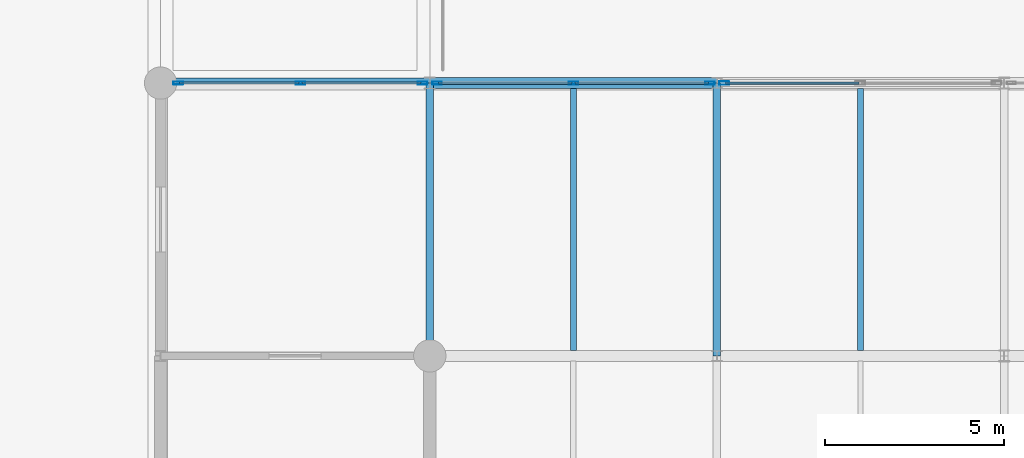
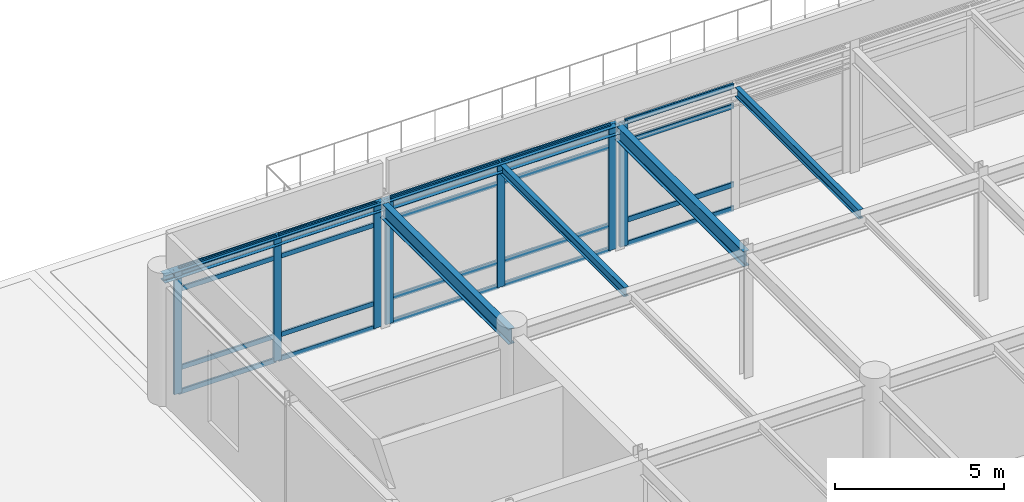
# One storey, part 23 of 43: 27 members, 6 beams, 3 elements without a shape of their own.
"""IFC4 building model written with IfcOpenShell, lengths in metres."""

from ifc_helpers import new_model, si_unit, direction, frame, origin, origin_2d, place, context, subcontext, project, spatial, hollow_rectangle, i_section, extrude, material, layer, layer_set, material_profile, profile_set, type_object, element, aggregate, save


model = new_model("IFC4")

# Units and contexts
model_context = context("Model", 3, precision=1e-05, world=origin(), true_north=direction((0.0, 1.0)))
body_context = subcontext(model_context, "Body", "Model", "MODEL_VIEW")
ifc_project = project(units=[si_unit("LENGTHUNIT", "METRE"), si_unit("AREAUNIT", "SQUARE_METRE"), si_unit("VOLUMEUNIT", "CUBIC_METRE"), si_unit("PLANEANGLEUNIT", "RADIAN"), si_unit("MASSUNIT", "GRAM", prefix="KILO")], contexts=[model_context])

# Site, building, storey
site_placement = place(None, origin())
site = spatial("IfcSite", under=ifc_project, at=site_placement, CompositionType="ELEMENT")
building_placement = place(site_placement, origin())
building = spatial("IfcBuilding", under=site, at=building_placement, Name="Shalkamar Park Central Library", CompositionType="ELEMENT")
storey_placement = place(building_placement, frame((0.0, 0.0, 15.60009765625)))
storey = spatial("IfcBuildingStorey", under=building, at=storey_placement, Name="L04", CompositionType="ELEMENT", Elevation=15.60009765625)

# Beams
ifc_material_1 = material(Name="Steel S355", Category="steel")
ifc_material_profile_1 = material_profile(ifc_material_1, i_section(OverallWidth=0.159912109375, OverallDepth=0.330078125, WebThickness=0.007568359375, FlangeThickness=0.011474609375, FilletRadius=0.01806640625, at=origin_2d()), Name="IPE 330")
ifc_profile_set_1 = profile_set([ifc_material_profile_1], Name="Steel S355")
beam_type_1 = type_object("IfcBeamType", Name="Composite Floor Joist IPE330", PredefinedType="JOIST", material=ifc_profile_set_1)
for number, where, z_axis, x_axis, name in (
    (1, (169.0, 308.548095703125, 4.31494140625), (0.0, 1.0, 0.0), (-1.0, 0.0, 0.0), "Composite Joist 07/K-1 (L04)"),
    (2, (177.0, 308.548095703125, 4.31494140625), (0.0, 1.0, 0.0), (-1.0, 0.0, 0.0), "Composite Joist 08/K-1 (L04)"),
):
    element("IfcBeam", number, at=place(storey_placement, frame(where, z_axis=z_axis, x_axis=x_axis)), inside=storey, type_object=beam_type_1, Name=name, PredefinedType="JOIST", context=body_context, shape_type="SweptSolid", body=[
        extrude(i_section(OverallWidth=0.159912109375, OverallDepth=0.330078125, WebThickness=0.007568359375, FlangeThickness=0.011474609375, FilletRadius=0.01806640625, at=origin_2d()), origin(), (0.0, 0.0, 1.0), 7.303955078125),
    ])

# Curtain wall, members
ifc_material_2 = material(Name="Thermally broken aluminium and triple low-e curtain wall", Category="aluminium")
ifc_layer_1 = layer(ifc_material_2, 0.27001953125)
ifc_layer_set_1 = layer_set([ifc_layer_1], Name="UnitisedCurtainWall_53")
curtain_wall_type_1 = type_object("IfcCurtainWallType", Name="Unitised Curtain Wall 53", PredefinedType="USERDEFINED", material=ifc_layer_set_1)
curtain_wall_1_placement = place(storey_placement, origin())
curtain_wall_1 = element("IfcCurtainWall", 3, at=curtain_wall_1_placement, inside=storey, type_object=curtain_wall_type_1, Name="Unitised Curtain Wall CW-L04-067", ObjectType="UNITISED CURTAIN WALL", PredefinedType="USERDEFINED")
ifc_material_3 = material(Name="Aluminium 6060-T66", Category="aluminium")
ifc_material_profile_2 = material_profile(ifc_material_3, hollow_rectangle(XDim=0.080078125, YDim=0.27001953125, WallThickness=0.0048828125, InnerFilletRadius=0.0048828125, OuterFilletRadius=0.007568359375, at=origin_2d()), Name="ALU 80x270x5")
ifc_profile_set_2 = profile_set([ifc_material_profile_2], Name="Aluminium 6060-T66")
member_type_1 = type_object("IfcMemberType", Name="Curtain Wall Mullion ALU80x270", PredefinedType="MULLION", material=ifc_profile_set_2)
member_1_placement = place(storey_placement, frame((157.993896484375, 316.0, 0.0), z_axis=(0.0, 0.0, 1.0), x_axis=(0.0, 1.0, 0.0)))
member_1 = element("IfcMember", 4, at=member_1_placement, type_object=member_type_1, Name="CW-53 mullion 1", PredefinedType="MULLION", context=body_context, shape_type="SweptSolid", body=[
    extrude(hollow_rectangle(XDim=0.080078125, YDim=0.27001953125, WallThickness=0.0048828125, InnerFilletRadius=0.0048828125, OuterFilletRadius=0.007568359375, at=origin_2d()), origin(), (0.0, 0.0, 1.0), 4.47998046875),
])
member_2_placement = place(storey_placement, frame((161.39501953125, 316.0, 0.0), z_axis=(0.0, 0.0, 1.0), x_axis=(0.0, 1.0, 0.0)))
member_2 = element("IfcMember", 5, at=member_2_placement, type_object=member_type_1, Name="CW-53 mullion 2", PredefinedType="MULLION", context=body_context, shape_type="SweptSolid", body=[
    extrude(hollow_rectangle(XDim=0.080078125, YDim=0.27001953125, WallThickness=0.0048828125, InnerFilletRadius=0.0048828125, OuterFilletRadius=0.007568359375, at=origin_2d()), origin(), (0.0, 0.0, 1.0), 4.47998046875),
])
member_3_placement = place(storey_placement, frame((164.7958984375, 316.0, 0.0), z_axis=(0.0, 0.0, 1.0), x_axis=(0.0, 1.0, 0.0)))
member_3 = element("IfcMember", 6, at=member_3_placement, type_object=member_type_1, Name="CW-53 mullion 3", PredefinedType="MULLION", context=body_context, shape_type="SweptSolid", body=[
    extrude(hollow_rectangle(XDim=0.080078125, YDim=0.27001953125, WallThickness=0.0048828125, InnerFilletRadius=0.0048828125, OuterFilletRadius=0.007568359375, at=origin_2d()), origin(), (0.0, 0.0, 1.0), 4.47998046875),
])

ifc_layer_2 = layer(ifc_material_2, 0.264892578125)
ifc_layer_set_2 = layer_set([ifc_layer_2], Name="UnitisedCurtainWall_54")
curtain_wall_type_2 = type_object("IfcCurtainWallType", Name="Unitised Curtain Wall 54", PredefinedType="USERDEFINED", material=ifc_layer_set_2)
curtain_wall_2_placement = place(storey_placement, origin())
curtain_wall_2 = element("IfcCurtainWall", 7, at=curtain_wall_2_placement, inside=storey, type_object=curtain_wall_type_2, Name="Unitised Curtain Wall CW-L04-068", ObjectType="UNITISED CURTAIN WALL", PredefinedType="USERDEFINED")
ifc_material_profile_3 = material_profile(ifc_material_3, hollow_rectangle(XDim=0.0849609375, YDim=0.264892578125, WallThickness=0.0048828125, InnerFilletRadius=0.0048828125, OuterFilletRadius=0.007568359375, at=origin_2d()), Name="ALU 85x265x5")
ifc_profile_set_3 = profile_set([ifc_material_profile_3], Name="Aluminium 6060-T66")
member_type_2 = type_object("IfcMemberType", Name="Curtain Wall Mullion ALU85x265", PredefinedType="MULLION", material=ifc_profile_set_3)
member_4_placement = place(storey_placement, frame((165.20654296875, 316.0, 0.0), z_axis=(0.0, 0.0, 1.0), x_axis=(0.0, 1.0, 0.0)))
member_4 = element("IfcMember", 8, at=member_4_placement, type_object=member_type_2, Name="CW-54 mullion 1", PredefinedType="MULLION", context=body_context, shape_type="SweptSolid", body=[
    extrude(hollow_rectangle(XDim=0.0849609375, YDim=0.264892578125, WallThickness=0.0048828125, InnerFilletRadius=0.0048828125, OuterFilletRadius=0.007568359375, at=origin_2d()), origin(), (0.0, 0.0, 1.0), 4.47998046875),
])
member_5_placement = place(storey_placement, frame((169.0048828125, 316.0, 0.0), z_axis=(0.0, 0.0, 1.0), x_axis=(0.0, 1.0, 0.0)))
member_5 = element("IfcMember", 9, at=member_5_placement, type_object=member_type_2, Name="CW-54 mullion 2", PredefinedType="MULLION", context=body_context, shape_type="SweptSolid", body=[
    extrude(hollow_rectangle(XDim=0.0849609375, YDim=0.264892578125, WallThickness=0.0048828125, InnerFilletRadius=0.0048828125, OuterFilletRadius=0.007568359375, at=origin_2d()), origin(), (0.0, 0.0, 1.0), 4.47998046875),
])
member_6_placement = place(storey_placement, frame((172.803466796875, 316.0, 0.0), z_axis=(0.0, 0.0, 1.0), x_axis=(0.0, 1.0, 0.0)))
member_6 = element("IfcMember", 10, at=member_6_placement, type_object=member_type_2, Name="CW-54 mullion 3", PredefinedType="MULLION", context=body_context, shape_type="SweptSolid", body=[
    extrude(hollow_rectangle(XDim=0.0849609375, YDim=0.264892578125, WallThickness=0.0048828125, InnerFilletRadius=0.0048828125, OuterFilletRadius=0.007568359375, at=origin_2d()), origin(), (0.0, 0.0, 1.0), 4.47998046875),
])

# Curtain wall, member
ifc_layer_3 = layer(ifc_material_2, 0.280029296875)
ifc_layer_set_3 = layer_set([ifc_layer_3], Name="UnitisedCurtainWall_55")
curtain_wall_type_3 = type_object("IfcCurtainWallType", Name="Unitised Curtain Wall 55", PredefinedType="USERDEFINED", material=ifc_layer_set_3)
curtain_wall_3_placement = place(storey_placement, origin())
curtain_wall_3 = element("IfcCurtainWall", 11, at=curtain_wall_3_placement, inside=storey, type_object=curtain_wall_type_3, Name="Unitised Curtain Wall CW-L04-069", ObjectType="UNITISED CURTAIN WALL", PredefinedType="USERDEFINED")
ifc_material_profile_4 = material_profile(ifc_material_3, hollow_rectangle(XDim=0.090087890625, YDim=0.280029296875, WallThickness=0.0048828125, InnerFilletRadius=0.0048828125, OuterFilletRadius=0.007568359375, at=origin_2d()), Name="ALU 90x280x5")
ifc_profile_set_4 = profile_set([ifc_material_profile_4], Name="Aluminium 6060-T66")
member_type_3 = type_object("IfcMemberType", Name="Curtain Wall Mullion ALU90x280", PredefinedType="MULLION", material=ifc_profile_set_4)
member_7_placement = place(storey_placement, frame((173.198974609375, 316.0, 0.0), z_axis=(0.0, 0.0, 1.0), x_axis=(0.0, 1.0, 0.0)))
member_7 = element("IfcMember", 12, at=member_7_placement, type_object=member_type_3, Name="CW-55 mullion 1", PredefinedType="MULLION", context=body_context, shape_type="SweptSolid", body=[
    extrude(hollow_rectangle(XDim=0.090087890625, YDim=0.280029296875, WallThickness=0.0048828125, InnerFilletRadius=0.0048828125, OuterFilletRadius=0.007568359375, at=origin_2d()), origin(), (0.0, 0.0, 1.0), 4.47998046875),
])

# Member
ifc_material_profile_5 = material_profile(ifc_material_3, hollow_rectangle(XDim=0.06494140625, YDim=0.175048828125, WallThickness=0.00439453125, InnerFilletRadius=0.00439453125, OuterFilletRadius=0.0068359375, at=origin_2d()), Name="ALU 65x175x4.5")
ifc_profile_set_5 = profile_set([ifc_material_profile_5], Name="Aluminium 6060-T66")
member_type_4 = type_object("IfcMemberType", Name="Curtain Wall Transom ALU65x175", PredefinedType="USERDEFINED", material=ifc_profile_set_5)
member_8_placement = place(storey_placement, frame((158.033935546875, 316.0, 0.032470703125), z_axis=(1.0, 0.0, 0.0), x_axis=(0.0, 1.0, 0.0)))
member_8 = element("IfcMember", 13, at=member_8_placement, type_object=member_type_4, Name="CW-53 transom 1.1", ObjectType="TRANSOM", PredefinedType="USERDEFINED", context=body_context, shape_type="SweptSolid", body=[
    extrude(hollow_rectangle(XDim=0.06494140625, YDim=0.175048828125, WallThickness=0.00439453125, InnerFilletRadius=0.00439453125, OuterFilletRadius=0.0068359375, at=origin_2d()), origin(), (0.0, 0.0, 1.0), 3.321044921875),
])

member_9_placement = place(storey_placement, frame((158.033935546875, 316.0, 0.89990234375), z_axis=(1.0, 0.0, 0.0), x_axis=(0.0, 1.0, 0.0)))
member_9 = element("IfcMember", 14, at=member_9_placement, type_object=member_type_4, Name="CW-53 transom 1.2", ObjectType="TRANSOM", PredefinedType="USERDEFINED", context=body_context, shape_type="SweptSolid", body=[
    extrude(hollow_rectangle(XDim=0.06494140625, YDim=0.175048828125, WallThickness=0.00439453125, InnerFilletRadius=0.00439453125, OuterFilletRadius=0.0068359375, at=origin_2d()), origin(), (0.0, 0.0, 1.0), 3.321044921875),
])

member_10_placement = place(storey_placement, frame((158.033935546875, 316.0, 3.72998046875), z_axis=(1.0, 0.0, 0.0), x_axis=(0.0, 1.0, 0.0)))
member_10 = element("IfcMember", 15, at=member_10_placement, type_object=member_type_4, Name="CW-53 transom 1.3", ObjectType="TRANSOM", PredefinedType="USERDEFINED", context=body_context, shape_type="SweptSolid", body=[
    extrude(hollow_rectangle(XDim=0.06494140625, YDim=0.175048828125, WallThickness=0.00439453125, InnerFilletRadius=0.00439453125, OuterFilletRadius=0.0068359375, at=origin_2d()), origin(), (0.0, 0.0, 1.0), 3.321044921875),
])

member_11_placement = place(storey_placement, frame((158.033935546875, 316.0, 4.447509765625), z_axis=(1.0, 0.0, 0.0), x_axis=(0.0, 1.0, 0.0)))
member_11 = element("IfcMember", 16, at=member_11_placement, type_object=member_type_4, Name="CW-53 transom 1.4", ObjectType="TRANSOM", PredefinedType="USERDEFINED", context=body_context, shape_type="SweptSolid", body=[
    extrude(hollow_rectangle(XDim=0.06494140625, YDim=0.175048828125, WallThickness=0.00439453125, InnerFilletRadius=0.00439453125, OuterFilletRadius=0.0068359375, at=origin_2d()), origin(), (0.0, 0.0, 1.0), 3.321044921875),
])

member_12_placement = place(storey_placement, frame((161.43505859375, 316.0, 0.032470703125), z_axis=(1.0, 0.0, 0.0), x_axis=(0.0, 1.0, 0.0)))
member_12 = element("IfcMember", 17, at=member_12_placement, type_object=member_type_4, Name="CW-53 transom 2.1", ObjectType="TRANSOM", PredefinedType="USERDEFINED", context=body_context, shape_type="SweptSolid", body=[
    extrude(hollow_rectangle(XDim=0.06494140625, YDim=0.175048828125, WallThickness=0.00439453125, InnerFilletRadius=0.00439453125, OuterFilletRadius=0.0068359375, at=origin_2d()), origin(), (0.0, 0.0, 1.0), 3.321044921875),
])

member_13_placement = place(storey_placement, frame((161.43505859375, 316.0, 0.89990234375), z_axis=(1.0, 0.0, 0.0), x_axis=(0.0, 1.0, 0.0)))
member_13 = element("IfcMember", 18, at=member_13_placement, type_object=member_type_4, Name="CW-53 transom 2.2", ObjectType="TRANSOM", PredefinedType="USERDEFINED", context=body_context, shape_type="SweptSolid", body=[
    extrude(hollow_rectangle(XDim=0.06494140625, YDim=0.175048828125, WallThickness=0.00439453125, InnerFilletRadius=0.00439453125, OuterFilletRadius=0.0068359375, at=origin_2d()), origin(), (0.0, 0.0, 1.0), 3.321044921875),
])

member_14_placement = place(storey_placement, frame((161.43505859375, 316.0, 3.72998046875), z_axis=(1.0, 0.0, 0.0), x_axis=(0.0, 1.0, 0.0)))
member_14 = element("IfcMember", 19, at=member_14_placement, type_object=member_type_4, Name="CW-53 transom 2.3", ObjectType="TRANSOM", PredefinedType="USERDEFINED", context=body_context, shape_type="SweptSolid", body=[
    extrude(hollow_rectangle(XDim=0.06494140625, YDim=0.175048828125, WallThickness=0.00439453125, InnerFilletRadius=0.00439453125, OuterFilletRadius=0.0068359375, at=origin_2d()), origin(), (0.0, 0.0, 1.0), 3.321044921875),
])

member_15_placement = place(storey_placement, frame((161.43505859375, 316.0, 4.447509765625), z_axis=(1.0, 0.0, 0.0), x_axis=(0.0, 1.0, 0.0)))
member_15 = element("IfcMember", 20, at=member_15_placement, type_object=member_type_4, Name="CW-53 transom 2.4", ObjectType="TRANSOM", PredefinedType="USERDEFINED", context=body_context, shape_type="SweptSolid", body=[
    extrude(hollow_rectangle(XDim=0.06494140625, YDim=0.175048828125, WallThickness=0.00439453125, InnerFilletRadius=0.00439453125, OuterFilletRadius=0.0068359375, at=origin_2d()), origin(), (0.0, 0.0, 1.0), 3.321044921875),
])

aggregate(curtain_wall_1, [member_1, member_2, member_3, member_8, member_9, member_10, member_11, member_12, member_13, member_14, member_15])

ifc_material_profile_6 = material_profile(ifc_material_3, hollow_rectangle(XDim=0.070068359375, YDim=0.179931640625, WallThickness=0.00439453125, InnerFilletRadius=0.00439453125, OuterFilletRadius=0.0068359375, at=origin_2d()), Name="ALU 70x180x4.5")
ifc_profile_set_6 = profile_set([ifc_material_profile_6], Name="Aluminium 6060-T66")
member_type_5 = type_object("IfcMemberType", Name="Curtain Wall Transom ALU70x180", PredefinedType="USERDEFINED", material=ifc_profile_set_6)
member_16_placement = place(storey_placement, frame((165.2490234375, 316.0, 0.034912109375), z_axis=(1.0, 0.0, 0.0), x_axis=(0.0, 1.0, 0.0)))
member_16 = element("IfcMember", 21, at=member_16_placement, type_object=member_type_5, Name="CW-54 transom 1.1", ObjectType="TRANSOM", PredefinedType="USERDEFINED", context=body_context, shape_type="SweptSolid", body=[
    extrude(hollow_rectangle(XDim=0.070068359375, YDim=0.179931640625, WallThickness=0.00439453125, InnerFilletRadius=0.00439453125, OuterFilletRadius=0.0068359375, at=origin_2d()), origin(), (0.0, 0.0, 1.0), 3.71337890625),
])

member_17_placement = place(storey_placement, frame((165.2490234375, 316.0, 0.89990234375), z_axis=(1.0, 0.0, 0.0), x_axis=(0.0, 1.0, 0.0)))
member_17 = element("IfcMember", 22, at=member_17_placement, type_object=member_type_5, Name="CW-54 transom 1.2", ObjectType="TRANSOM", PredefinedType="USERDEFINED", context=body_context, shape_type="SweptSolid", body=[
    extrude(hollow_rectangle(XDim=0.070068359375, YDim=0.179931640625, WallThickness=0.00439453125, InnerFilletRadius=0.00439453125, OuterFilletRadius=0.0068359375, at=origin_2d()), origin(), (0.0, 0.0, 1.0), 3.71337890625),
])

member_18_placement = place(storey_placement, frame((165.2490234375, 316.0, 3.72998046875), z_axis=(1.0, 0.0, 0.0), x_axis=(0.0, 1.0, 0.0)))
member_18 = element("IfcMember", 23, at=member_18_placement, type_object=member_type_5, Name="CW-54 transom 1.3", ObjectType="TRANSOM", PredefinedType="USERDEFINED", context=body_context, shape_type="SweptSolid", body=[
    extrude(hollow_rectangle(XDim=0.070068359375, YDim=0.179931640625, WallThickness=0.00439453125, InnerFilletRadius=0.00439453125, OuterFilletRadius=0.0068359375, at=origin_2d()), origin(), (0.0, 0.0, 1.0), 3.71337890625),
])

member_19_placement = place(storey_placement, frame((165.2490234375, 316.0, 4.44482421875), z_axis=(1.0, 0.0, 0.0), x_axis=(0.0, 1.0, 0.0)))
member_19 = element("IfcMember", 24, at=member_19_placement, type_object=member_type_5, Name="CW-54 transom 1.4", ObjectType="TRANSOM", PredefinedType="USERDEFINED", context=body_context, shape_type="SweptSolid", body=[
    extrude(hollow_rectangle(XDim=0.070068359375, YDim=0.179931640625, WallThickness=0.00439453125, InnerFilletRadius=0.00439453125, OuterFilletRadius=0.0068359375, at=origin_2d()), origin(), (0.0, 0.0, 1.0), 3.71337890625),
])

member_20_placement = place(storey_placement, frame((169.047607421875, 316.0, 0.034912109375), z_axis=(1.0, 0.0, 0.0), x_axis=(0.0, 1.0, 0.0)))
member_20 = element("IfcMember", 25, at=member_20_placement, type_object=member_type_5, Name="CW-54 transom 2.1", ObjectType="TRANSOM", PredefinedType="USERDEFINED", context=body_context, shape_type="SweptSolid", body=[
    extrude(hollow_rectangle(XDim=0.070068359375, YDim=0.179931640625, WallThickness=0.00439453125, InnerFilletRadius=0.00439453125, OuterFilletRadius=0.0068359375, at=origin_2d()), origin(), (0.0, 0.0, 1.0), 3.71337890625),
])

member_21_placement = place(storey_placement, frame((169.047607421875, 316.0, 0.89990234375), z_axis=(1.0, 0.0, 0.0), x_axis=(0.0, 1.0, 0.0)))
member_21 = element("IfcMember", 26, at=member_21_placement, type_object=member_type_5, Name="CW-54 transom 2.2", ObjectType="TRANSOM", PredefinedType="USERDEFINED", context=body_context, shape_type="SweptSolid", body=[
    extrude(hollow_rectangle(XDim=0.070068359375, YDim=0.179931640625, WallThickness=0.00439453125, InnerFilletRadius=0.00439453125, OuterFilletRadius=0.0068359375, at=origin_2d()), origin(), (0.0, 0.0, 1.0), 3.71337890625),
])

member_22_placement = place(storey_placement, frame((169.047607421875, 316.0, 3.72998046875), z_axis=(1.0, 0.0, 0.0), x_axis=(0.0, 1.0, 0.0)))
member_22 = element("IfcMember", 27, at=member_22_placement, type_object=member_type_5, Name="CW-54 transom 2.3", ObjectType="TRANSOM", PredefinedType="USERDEFINED", context=body_context, shape_type="SweptSolid", body=[
    extrude(hollow_rectangle(XDim=0.070068359375, YDim=0.179931640625, WallThickness=0.00439453125, InnerFilletRadius=0.00439453125, OuterFilletRadius=0.0068359375, at=origin_2d()), origin(), (0.0, 0.0, 1.0), 3.71337890625),
])

member_23_placement = place(storey_placement, frame((169.047607421875, 316.0, 4.44482421875), z_axis=(1.0, 0.0, 0.0), x_axis=(0.0, 1.0, 0.0)))
member_23 = element("IfcMember", 28, at=member_23_placement, type_object=member_type_5, Name="CW-54 transom 2.4", ObjectType="TRANSOM", PredefinedType="USERDEFINED", context=body_context, shape_type="SweptSolid", body=[
    extrude(hollow_rectangle(XDim=0.070068359375, YDim=0.179931640625, WallThickness=0.00439453125, InnerFilletRadius=0.00439453125, OuterFilletRadius=0.0068359375, at=origin_2d()), origin(), (0.0, 0.0, 1.0), 3.71337890625),
])

aggregate(curtain_wall_2, [member_4, member_5, member_6, member_16, member_17, member_18, member_19, member_20, member_21, member_22, member_23])

ifc_material_profile_7 = material_profile(ifc_material_3, hollow_rectangle(XDim=0.070068359375, YDim=0.18994140625, WallThickness=0.0048828125, InnerFilletRadius=0.0048828125, OuterFilletRadius=0.007568359375, at=origin_2d()), Name="ALU 70x190x5")
ifc_profile_set_7 = profile_set([ifc_material_profile_7], Name="Aluminium 6060-T66")
member_type_6 = type_object("IfcMemberType", Name="Curtain Wall Transom ALU70x190", PredefinedType="USERDEFINED", material=ifc_profile_set_7)
member_24_placement = place(storey_placement, frame((173.243896484375, 316.0, 0.034912109375), z_axis=(1.0, 0.0, 0.0), x_axis=(0.0, 1.0, 0.0)))
member_24 = element("IfcMember", 29, at=member_24_placement, type_object=member_type_6, Name="CW-55 transom 1.1", ObjectType="TRANSOM", PredefinedType="USERDEFINED", context=body_context, shape_type="SweptSolid", body=[
    extrude(hollow_rectangle(XDim=0.070068359375, YDim=0.18994140625, WallThickness=0.0048828125, InnerFilletRadius=0.0048828125, OuterFilletRadius=0.007568359375, at=origin_2d()), origin(), (0.0, 0.0, 1.0), 3.7060546875),
])

member_25_placement = place(storey_placement, frame((173.243896484375, 316.0, 0.89990234375), z_axis=(1.0, 0.0, 0.0), x_axis=(0.0, 1.0, 0.0)))
member_25 = element("IfcMember", 30, at=member_25_placement, type_object=member_type_6, Name="CW-55 transom 1.2", ObjectType="TRANSOM", PredefinedType="USERDEFINED", context=body_context, shape_type="SweptSolid", body=[
    extrude(hollow_rectangle(XDim=0.070068359375, YDim=0.18994140625, WallThickness=0.0048828125, InnerFilletRadius=0.0048828125, OuterFilletRadius=0.007568359375, at=origin_2d()), origin(), (0.0, 0.0, 1.0), 3.7060546875),
])

member_26_placement = place(storey_placement, frame((173.243896484375, 316.0, 3.72998046875), z_axis=(1.0, 0.0, 0.0), x_axis=(0.0, 1.0, 0.0)))
member_26 = element("IfcMember", 31, at=member_26_placement, type_object=member_type_6, Name="CW-55 transom 1.3", ObjectType="TRANSOM", PredefinedType="USERDEFINED", context=body_context, shape_type="SweptSolid", body=[
    extrude(hollow_rectangle(XDim=0.070068359375, YDim=0.18994140625, WallThickness=0.0048828125, InnerFilletRadius=0.0048828125, OuterFilletRadius=0.007568359375, at=origin_2d()), origin(), (0.0, 0.0, 1.0), 3.7060546875),
])

member_27_placement = place(storey_placement, frame((173.243896484375, 316.0, 4.44482421875), z_axis=(1.0, 0.0, 0.0), x_axis=(0.0, 1.0, 0.0)))
member_27 = element("IfcMember", 32, at=member_27_placement, type_object=member_type_6, Name="CW-55 transom 1.4", ObjectType="TRANSOM", PredefinedType="USERDEFINED", context=body_context, shape_type="SweptSolid", body=[
    extrude(hollow_rectangle(XDim=0.070068359375, YDim=0.18994140625, WallThickness=0.0048828125, InnerFilletRadius=0.0048828125, OuterFilletRadius=0.007568359375, at=origin_2d()), origin(), (0.0, 0.0, 1.0), 3.7060546875),
])

aggregate(curtain_wall_3, [member_7, member_24, member_25, member_26, member_27])

# Beams
ifc_material_profile_8 = material_profile(ifc_material_1, i_section(OverallWidth=0.280029296875, OverallDepth=0.27001953125, WebThickness=0.008056640625, FlangeThickness=0.012939453125, FilletRadius=0.02392578125, at=origin_2d()), Name="HEA 280")
ifc_profile_set_8 = profile_set([ifc_material_profile_8], Name="Steel S355")
beam_type_2 = type_object("IfcBeamType", Name="Perimeter Spandrel Beam HEA280", PredefinedType="SPANDREL", material=ifc_profile_set_8)
beam_1_placement = place(storey_placement, frame((157.5, 316.0, 4.344970703125), z_axis=(1.0, 0.0, 0.0), x_axis=(0.0, 1.0, 0.0)))
element("IfcBeam", 33, at=beam_1_placement, inside=storey, type_object=beam_type_2, Name="Beam L:06-07 (L04)", PredefinedType="SPANDREL", context=body_context, shape_type="SweptSolid", body=[
    extrude(i_section(OverallWidth=0.280029296875, OverallDepth=0.27001953125, WebThickness=0.008056640625, FlangeThickness=0.012939453125, FilletRadius=0.02392578125, at=origin_2d()), origin(), (0.0, 0.0, 1.0), 7.5),
])
ifc_material_profile_9 = material_profile(ifc_material_1, i_section(OverallWidth=0.300048828125, OverallDepth=0.31005859375, WebThickness=0.009033203125, FlangeThickness=0.015380859375, FilletRadius=0.027099609375, at=origin_2d()), Name="HEA 320")
ifc_profile_set_9 = profile_set([ifc_material_profile_9], Name="Steel S355")
beam_type_3 = type_object("IfcBeamType", Name="Perimeter Spandrel Beam HEA320", PredefinedType="SPANDREL", material=ifc_profile_set_9)
beam_2_placement = place(storey_placement, frame((165.0, 316.0, 4.324951171875), z_axis=(1.0, 0.0, 0.0), x_axis=(0.0, 1.0, 0.0)))
element("IfcBeam", 34, at=beam_2_placement, inside=storey, type_object=beam_type_3, Name="Beam L:07-08 (L04)", PredefinedType="SPANDREL", context=body_context, shape_type="SweptSolid", body=[
    extrude(i_section(OverallWidth=0.300048828125, OverallDepth=0.31005859375, WebThickness=0.009033203125, FlangeThickness=0.015380859375, FilletRadius=0.027099609375, at=origin_2d()), origin(), (0.0, 0.0, 1.0), 8.0),
])
ifc_material_profile_10 = material_profile(ifc_material_1, i_section(OverallWidth=0.2099609375, OverallDepth=0.550048828125, WebThickness=0.010986328125, FlangeThickness=0.01708984375, FilletRadius=0.02392578125, at=origin_2d()), Name="IPE 550")
ifc_profile_set_10 = profile_set([ifc_material_profile_10], Name="Steel S355")
beam_type_4 = type_object("IfcBeamType", Name="Primary Girder IPE550", PredefinedType="BEAM", material=ifc_profile_set_10)
for number, where, z_axis, x_axis, name in (
    (35, (165.0, 308.39990234375, 4.204833984375), (0.0, 1.0, 0.0), (-1.0, 0.0, 0.0), "Beam 07:K-L (L04)"),
    (36, (173.0, 308.39990234375, 4.204833984375), (0.0, 1.0, 0.0), (-1.0, 0.0, 0.0), "Beam 08:K-L (L04)"),
):
    element("IfcBeam", number, at=place(storey_placement, frame(where, z_axis=z_axis, x_axis=x_axis)), inside=storey, type_object=beam_type_4, Name=name, PredefinedType="BEAM", context=body_context, shape_type="SweptSolid", body=[
        extrude(i_section(OverallWidth=0.2099609375, OverallDepth=0.550048828125, WebThickness=0.010986328125, FlangeThickness=0.01708984375, FilletRadius=0.02392578125, at=origin_2d()), origin(), (0.0, 0.0, 1.0), 7.60009765625),
    ])

save(model, "model.ifc")
